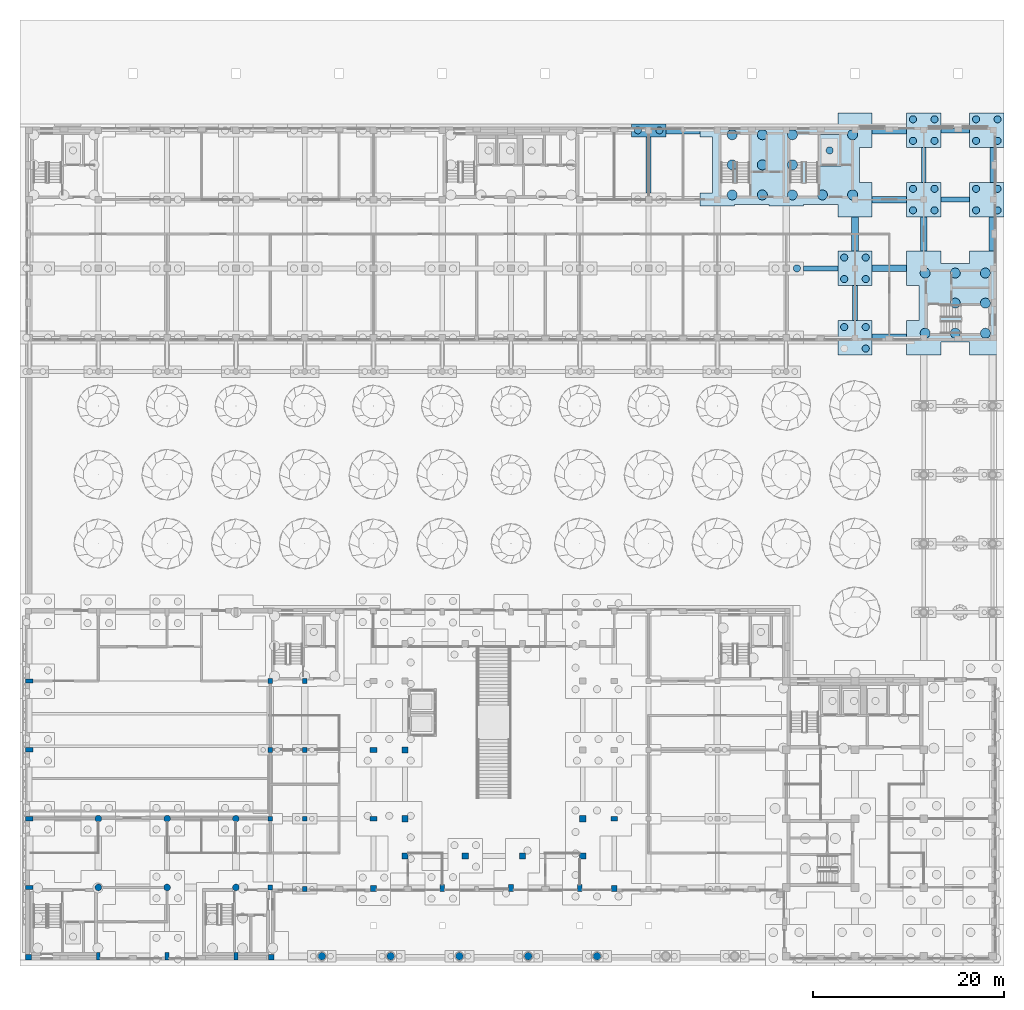
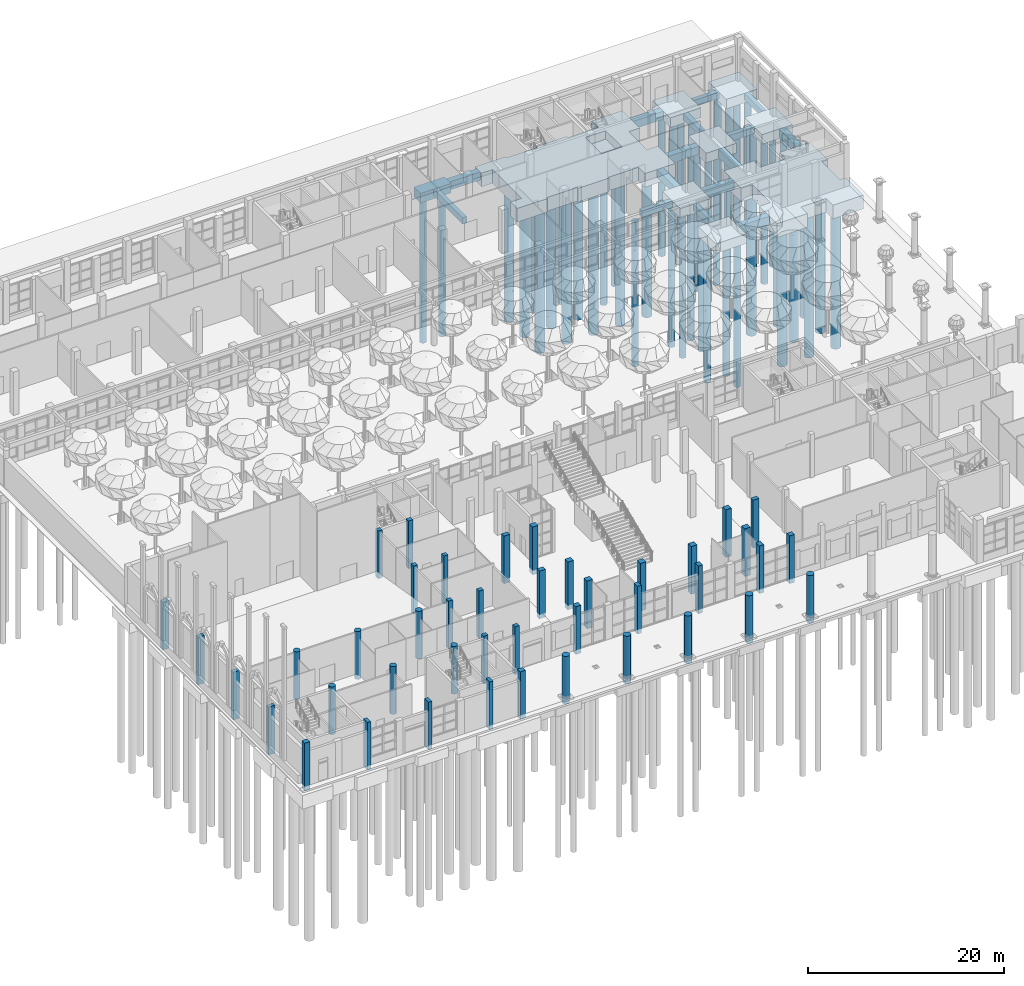
# One storey, part 7 of 80: 47 piles, 43 columns, 25 footings.
"""IFC4 building model written with IfcOpenShell, lengths in metres."""

from ifc_helpers import new_model, si_unit, direction, frame, origin, origin_2d, place, context, subcontext, project, spatial, polyline, rectangle, circle, outline, extrude, material, material_profile, profile_set, type_object, element, save


model = new_model("IFC4")

# Units and contexts
model_context = context("Model", 3, precision=1e-05, world=origin(), true_north=direction((0.0, 1.0)))
body_context = subcontext(model_context, "Body", "Model", "MODEL_VIEW")
ifc_project = project(units=[si_unit("LENGTHUNIT", "METRE"), si_unit("AREAUNIT", "SQUARE_METRE"), si_unit("VOLUMEUNIT", "CUBIC_METRE"), si_unit("PLANEANGLEUNIT", "RADIAN"), si_unit("MASSUNIT", "GRAM", prefix="KILO")], contexts=[model_context])

# Site, building, storey
site_placement = place(None, origin())
site = spatial("IfcSite", under=ifc_project, at=site_placement, CompositionType="ELEMENT")
building_placement = place(site_placement, origin())
building = spatial("IfcBuilding", under=site, at=building_placement, Name="Ussher Court Research Institute", CompositionType="ELEMENT")
storey_placement = place(building_placement, origin())
storey = spatial("IfcBuildingStorey", under=building, at=storey_placement, Name="L00", CompositionType="ELEMENT", Elevation=0.0)

# Piles
ifc_material_1 = material(Name="Concrete C35/45", Category="concrete")
ifc_material_profile_1 = material_profile(ifc_material_1, circle(Radius=0.52490234375, at=origin_2d()), Name="RC D1050")
ifc_profile_set_1 = profile_set([ifc_material_profile_1], Name="Concrete C35/45")
pile_type_1 = type_object("IfcPileType", Name="Bored pile D1050", PredefinedType="BORED", material=ifc_profile_set_1)
for number, where, z_axis, x_axis, name in (
    (1, (76.550048828125, 83.68798828125, -2.10009765625), (0.0, 0.0, -1.0), (1.0, 0.0, 0.0), "P5 084-01"),
    (2, (76.550048828125, 86.837890625, -2.10009765625), (0.0, 0.0, -1.0), (1.0, 0.0, 0.0), "P5 084-02"),
    (3, (76.550048828125, 89.987060546875, -2.10009765625), (0.0, 0.0, -1.0), (1.0, 0.0, 0.0), "P5 084-03"),
    (4, (79.699951171875, 83.68798828125, -2.10009765625), (0.0, 0.0, -1.0), (1.0, 0.0, 0.0), "P5 084-04"),
    (5, (79.699951171875, 86.837890625, -2.10009765625), (0.0, 0.0, -1.0), (1.0, 0.0, 0.0), "P5 084-05"),
    (6, (79.699951171875, 89.987060546875, -2.10009765625), (0.0, 0.0, -1.0), (1.0, 0.0, 0.0), "P5 084-06"),
    (7, (82.85009765625, 83.68798828125, -2.10009765625), (0.0, 0.0, -1.0), (1.0, 0.0, 0.0), "P5 084-07"),
    (8, (82.85009765625, 86.837890625, -2.10009765625), (0.0, 0.0, -1.0), (1.0, 0.0, 0.0), "P5 084-08"),
    (9, (82.85009765625, 89.987060546875, -2.10009765625), (0.0, 0.0, -1.0), (1.0, 0.0, 0.0), "P5 084-09"),
    (10, (86.0, 83.68798828125, -2.10009765625), (0.0, 0.0, -1.0), (1.0, 0.0, 0.0), "P5 084-10"),
    (11, (89.14990234375, 83.68798828125, -2.10009765625), (0.0, 0.0, -1.0), (1.0, 0.0, 0.0), "P5 084-11"),
    (12, (89.14990234375, 89.987060546875, -2.10009765625), (0.0, 0.0, -1.0), (1.0, 0.0, 0.0), "P5 084-12"),
    (13, (96.75, 69.2119140625, -2.10009765625), (0.0, 0.0, -1.0), (1.0, 0.0, 0.0), "P5 102-01"),
    (14, (96.75, 75.511962890625, -2.10009765625), (0.0, 0.0, -1.0), (1.0, 0.0, 0.0), "P5 102-02"),
    (15, (99.89990234375, 69.2119140625, -2.10009765625), (0.0, 0.0, -1.0), (1.0, 0.0, 0.0), "P5 102-03"),
    (16, (99.89990234375, 72.362060546875, -2.10009765625), (0.0, 0.0, -1.0), (1.0, 0.0, 0.0), "P5 102-04"),
    (17, (99.89990234375, 75.511962890625, -2.10009765625), (0.0, 0.0, -1.0), (1.0, 0.0, 0.0), "P5 102-05"),
    (18, (103.050048828125, 69.2119140625, -2.10009765625), (0.0, 0.0, -1.0), (1.0, 0.0, 0.0), "P5 102-06"),
    (19, (103.050048828125, 72.362060546875, -2.10009765625), (0.0, 0.0, -1.0), (1.0, 0.0, 0.0), "P5 102-07"),
    (20, (103.050048828125, 75.511962890625, -2.10009765625), (0.0, 0.0, -1.0), (1.0, 0.0, 0.0), "P5 102-08"),
):
    element("IfcPile", number, at=place(storey_placement, frame(where, z_axis=z_axis, x_axis=x_axis)), inside=storey, type_object=pile_type_1, Name=name, PredefinedType="BORED", context=body_context, shape_type="SweptSolid", body=[
        extrude(circle(Radius=0.52490234375, at=origin_2d()), origin(), (0.0, 0.0, 1.0), 18.0),
    ])
ifc_material_2 = material(Name="Concrete C35/45", Category="concrete")
ifc_material_profile_2 = material_profile(ifc_material_2, circle(Radius=0.375, at=origin_2d()), Name="RC D750")
ifc_profile_set_2 = profile_set([ifc_material_profile_2], Name="Concrete C35/45")
pile_type_2 = type_object("IfcPileType", Name="Bored pile D750", PredefinedType="BORED", material=ifc_profile_set_2)
for number, where, z_axis, x_axis, name in (
    (21, (86.75, 88.35009765625, -2.64990234375), (0.0, 0.0, -1.0), (1.0, 0.0, 0.0), "P1 006-01"),
    (22, (66.675048828125, 90.449951171875, -1.60009765625), (0.0, 0.0, -1.0), (1.0, 0.0, 0.0), "P1 079-01"),
    (23, (68.925048828125, 90.449951171875, -1.60009765625), (0.0, 0.0, -1.0), (1.0, 0.0, 0.0), "P1 079-02"),
    (24, (83.324951171875, 76.0, -1.60009765625), (0.0, 0.0, -1.0), (1.0, 0.0, 0.0), "P1 094-02"),
    (25, (88.27490234375, 69.85009765625, -1.60009765625), (0.0, 0.0, -1.0), (1.0, 0.0, 0.0), "P1 097-02"),
    (26, (90.52490234375, 67.60009765625, -1.60009765625), (0.0, 0.0, -1.0), (1.0, 0.0, 0.0), "P1 097-03"),
    (27, (90.52490234375, 69.85009765625, -1.60009765625), (0.0, 0.0, -1.0), (1.0, 0.0, 0.0), "P1 097-04"),
    (28, (88.27490234375, 74.875, -1.60009765625), (0.0, 0.0, -1.0), (1.0, 0.0, 0.0), "P1 098-01"),
    (29, (88.27490234375, 77.125, -1.60009765625), (0.0, 0.0, -1.0), (1.0, 0.0, 0.0), "P1 098-02"),
    (30, (90.52490234375, 74.875, -1.60009765625), (0.0, 0.0, -1.0), (1.0, 0.0, 0.0), "P1 098-03"),
    (31, (90.52490234375, 77.125, -1.60009765625), (0.0, 0.0, -1.0), (1.0, 0.0, 0.0), "P1 098-04"),
    (32, (95.47509765625, 82.074951171875, -1.60009765625), (0.0, 0.0, -1.0), (1.0, 0.0, 0.0), "P1 103-01"),
    (33, (95.47509765625, 84.324951171875, -1.60009765625), (0.0, 0.0, -1.0), (1.0, 0.0, 0.0), "P1 103-02"),
    (34, (97.72509765625, 82.074951171875, -1.60009765625), (0.0, 0.0, -1.0), (1.0, 0.0, 0.0), "P1 103-03"),
    (35, (97.72509765625, 84.324951171875, -1.60009765625), (0.0, 0.0, -1.0), (1.0, 0.0, 0.0), "P1 103-04"),
    (36, (95.47509765625, 89.35009765625, -1.60009765625), (0.0, 0.0, -1.0), (1.0, 0.0, 0.0), "P1 104-01"),
    (37, (95.47509765625, 91.60009765625, -1.60009765625), (0.0, 0.0, -1.0), (1.0, 0.0, 0.0), "P1 104-02"),
    (38, (97.72509765625, 89.35009765625, -1.60009765625), (0.0, 0.0, -1.0), (1.0, 0.0, 0.0), "P1 104-03"),
    (39, (97.72509765625, 91.60009765625, -1.60009765625), (0.0, 0.0, -1.0), (1.0, 0.0, 0.0), "P1 104-04"),
    (40, (102.074951171875, 82.074951171875, -1.60009765625), (0.0, 0.0, -1.0), (1.0, 0.0, 0.0), "P1 114-01"),
    (41, (102.074951171875, 84.324951171875, -1.60009765625), (0.0, 0.0, -1.0), (1.0, 0.0, 0.0), "P1 114-02"),
    (42, (104.324951171875, 82.074951171875, -1.60009765625), (0.0, 0.0, -1.0), (1.0, 0.0, 0.0), "P1 114-03"),
    (43, (104.324951171875, 84.324951171875, -1.60009765625), (0.0, 0.0, -1.0), (1.0, 0.0, 0.0), "P1 114-04"),
    (44, (102.074951171875, 89.35009765625, -1.60009765625), (0.0, 0.0, -1.0), (1.0, 0.0, 0.0), "P1 115-01"),
    (45, (102.074951171875, 91.60009765625, -1.60009765625), (0.0, 0.0, -1.0), (1.0, 0.0, 0.0), "P1 115-02"),
    (46, (104.324951171875, 89.35009765625, -1.60009765625), (0.0, 0.0, -1.0), (1.0, 0.0, 0.0), "P1 115-03"),
    (47, (104.324951171875, 91.60009765625, -1.60009765625), (0.0, 0.0, -1.0), (1.0, 0.0, 0.0), "P1 115-04"),
):
    element("IfcPile", number, at=place(storey_placement, frame(where, z_axis=z_axis, x_axis=x_axis)), inside=storey, type_object=pile_type_2, Name=name, PredefinedType="BORED", context=body_context, shape_type="SweptSolid", body=[
        extrude(circle(Radius=0.375, at=origin_2d()), origin(), (0.0, 0.0, 1.0), 18.0),
    ])

# Footings
ifc_material_3 = material(Name="Concrete C35/45", Category="concrete")
footing_type_1 = type_object("IfcFootingType", Name="Core raft 10880x10200x1700", PredefinedType="PILE_CAP", material=ifc_material_3)
footing_1_placement = place(storey_placement, frame((0.0, 0.0, -2.25)))
element("IfcFooting", 48, at=footing_1_placement, inside=storey, type_object=footing_type_1, Name="CR15 102", PredefinedType="PILE_CAP", context=body_context, shape_type="SweptSolid", body=[
    extrude(outline(polyline([(96.10009765625, 70.52490234375), (94.800048828125, 70.52490234375), (94.800048828125, 66.925048828125), (98.39990234375, 66.925048828125), (98.39990234375, 68.300048828125), (101.39990234375, 68.300048828125), (101.39990234375, 66.925048828125), (105.0, 66.925048828125), (105.0, 70.52490234375), (104.300048828125, 70.52490234375), (104.300048828125, 74.199951171875), (105.0, 74.199951171875), (105.0, 77.800048828125), (101.39990234375, 77.800048828125), (101.39990234375, 76.5), (98.39990234375, 76.5), (98.39990234375, 77.800048828125), (94.800048828125, 77.800048828125), (94.800048828125, 74.199951171875), (96.10009765625, 74.199951171875), (96.10009765625, 70.52490234375)])), origin(), (0.0, 0.0, 1.0), 1.699951171875),
])
ifc_material_4 = material(Name="Concrete C35/45", Category="concrete")
footing_type_2 = type_object("IfcFootingType", Name="Core raft 18000x10880x1700", PredefinedType="PILE_CAP", material=ifc_material_4)
footing_2_placement = place(storey_placement, frame((0.0, 0.0, -2.25)))
element("IfcFooting", 49, at=footing_2_placement, inside=storey, type_object=footing_type_2, Name="CR21 084", PredefinedType="PILE_CAP", context=body_context, shape_type="SweptSolid", body=[
    extrude(outline(polyline([(73.199951171875, 89.77490234375), (74.5, 89.77490234375), (74.5, 83.875), (73.199951171875, 83.875), (73.199951171875, 82.52490234375), (76.800048828125, 82.52490234375), (76.800048828125, 82.699951171875), (80.39990234375, 82.699951171875), (80.39990234375, 82.52490234375), (84.0, 82.52490234375), (84.0, 82.699951171875), (87.60009765625, 82.699951171875), (87.60009765625, 81.39990234375), (91.199951171875, 81.39990234375), (91.199951171875, 85.0), (89.89990234375, 85.0), (89.89990234375, 88.675048828125), (91.199951171875, 88.675048828125), (91.199951171875, 92.27490234375), (87.60009765625, 92.27490234375), (87.60009765625, 90.89990234375), (84.0, 90.89990234375), (84.0, 91.125), (80.39990234375, 91.125), (80.39990234375, 90.89990234375), (76.800048828125, 90.89990234375), (76.800048828125, 91.125), (73.199951171875, 91.125), (73.199951171875, 89.77490234375)]), holes=[polyline([(87.949951171875, 90.0), (87.949951171875, 86.699951171875), (85.550048828125, 86.699951171875), (85.550048828125, 90.0), (87.949951171875, 90.0)])]), origin(), (0.0, 0.0, 1.0), 1.699951171875),
])
ifc_material_5 = material(Name="Concrete C35/45", Category="concrete")
footing_type_3 = type_object("IfcFootingType", Name="Core raft 3300x2400x1200", PredefinedType="PILE_CAP", material=ifc_material_5)
footing_3_placement = place(storey_placement, frame((0.0, 0.0, -2.800048828125)))
element("IfcFooting", 50, at=footing_3_placement, inside=storey, type_object=footing_type_3, Name="CR3 006", PredefinedType="PILE_CAP", context=body_context, shape_type="SweptSolid", body=[
    extrude(outline(polyline([(87.949951171875, 86.699951171875), (87.949951171875, 90.0), (85.550048828125, 90.0), (85.550048828125, 86.699951171875), (87.949951171875, 86.699951171875)])), origin(), (0.0, 0.0, 1.0), 1.199951171875),
])
ifc_material_6 = material(Name="Concrete C35/45", Category="concrete")
footing_type_4 = type_object("IfcFootingType", Name="Pile cap 3600x1350x1200", PredefinedType="PILE_CAP", material=ifc_material_6)
footing_4_placement = place(storey_placement, frame((0.0, 0.0, -1.75)))
element("IfcFooting", 51, at=footing_4_placement, inside=storey, type_object=footing_type_4, Name="PC4 079", PredefinedType="PILE_CAP", context=body_context, shape_type="SweptSolid", body=[
    extrude(outline(polyline([(66.0, 89.77490234375), (69.60009765625, 89.77490234375), (69.60009765625, 91.125), (66.0, 91.125), (66.0, 89.77490234375)])), origin(), (0.0, 0.0, 1.0), 1.199951171875),
])
ifc_material_7 = material(Name="Concrete C35/45", Category="concrete")
footing_type_5 = type_object("IfcFootingType", Name="Pile cap 3600x3600x1200", PredefinedType="PILE_CAP", material=ifc_material_7)
footing_5_placement = place(storey_placement, frame((0.0, 0.0, -1.75)))
element("IfcFooting", 52, at=footing_5_placement, inside=storey, type_object=footing_type_5, Name="PC5 097", PredefinedType="PILE_CAP", context=body_context, shape_type="SweptSolid", body=[
    extrude(outline(polyline([(87.60009765625, 66.925048828125), (91.199951171875, 66.925048828125), (91.199951171875, 70.52490234375), (87.60009765625, 70.52490234375), (87.60009765625, 66.925048828125)])), origin(), (0.0, 0.0, 1.0), 1.199951171875),
])
footing_6_placement = place(storey_placement, frame((0.0, 0.0, -1.75)))
element("IfcFooting", 53, at=footing_6_placement, inside=storey, type_object=footing_type_5, Name="PC5 098", PredefinedType="PILE_CAP", context=body_context, shape_type="SweptSolid", body=[
    extrude(outline(polyline([(87.60009765625, 74.199951171875), (91.199951171875, 74.199951171875), (91.199951171875, 77.800048828125), (87.60009765625, 77.800048828125), (87.60009765625, 74.199951171875)])), origin(), (0.0, 0.0, 1.0), 1.199951171875),
])
footing_7_placement = place(storey_placement, frame((0.0, 0.0, -1.75)))
element("IfcFooting", 54, at=footing_7_placement, inside=storey, type_object=footing_type_5, Name="PC5 103", PredefinedType="PILE_CAP", context=body_context, shape_type="SweptSolid", body=[
    extrude(outline(polyline([(94.800048828125, 81.39990234375), (98.39990234375, 81.39990234375), (98.39990234375, 85.0), (94.800048828125, 85.0), (94.800048828125, 81.39990234375)])), origin(), (0.0, 0.0, 1.0), 1.199951171875),
])
footing_8_placement = place(storey_placement, frame((0.0, 0.0, -1.75)))
element("IfcFooting", 55, at=footing_8_placement, inside=storey, type_object=footing_type_5, Name="PC5 104", PredefinedType="PILE_CAP", context=body_context, shape_type="SweptSolid", body=[
    extrude(outline(polyline([(94.800048828125, 88.675048828125), (98.39990234375, 88.675048828125), (98.39990234375, 92.27490234375), (94.800048828125, 92.27490234375), (94.800048828125, 88.675048828125)])), origin(), (0.0, 0.0, 1.0), 1.199951171875),
])
footing_9_placement = place(storey_placement, frame((0.0, 0.0, -1.75)))
element("IfcFooting", 56, at=footing_9_placement, inside=storey, type_object=footing_type_5, Name="PC5 114", PredefinedType="PILE_CAP", context=body_context, shape_type="SweptSolid", body=[
    extrude(outline(polyline([(101.39990234375, 81.39990234375), (105.0, 81.39990234375), (105.0, 85.0), (101.39990234375, 85.0), (101.39990234375, 81.39990234375)])), origin(), (0.0, 0.0, 1.0), 1.199951171875),
])
footing_10_placement = place(storey_placement, frame((0.0, 0.0, -1.75)))
element("IfcFooting", 57, at=footing_10_placement, inside=storey, type_object=footing_type_5, Name="PC5 115", PredefinedType="PILE_CAP", context=body_context, shape_type="SweptSolid", body=[
    extrude(outline(polyline([(101.39990234375, 88.675048828125), (105.0, 88.675048828125), (105.0, 92.27490234375), (101.39990234375, 92.27490234375), (101.39990234375, 88.675048828125)])), origin(), (0.0, 0.0, 1.0), 1.199951171875),
])
ifc_material_8 = material(Name="Concrete C35/45", Category="concrete")
ifc_material_profile_3 = material_profile(ifc_material_8, rectangle(XDim=0.5, YDim=0.800048828125, at=origin_2d()), Name="RC 500x800")
ifc_profile_set_3 = profile_set([ifc_material_profile_3], Name="Concrete C35/45")
footing_type_6 = type_object("IfcFootingType", Name="RC 500x800 ground beam", PredefinedType="FOOTING_BEAM", material=ifc_profile_set_3)
footing_11_placement = place(storey_placement, frame((84.0009765625, 76.0, -0.949951171875), z_axis=(1.0, 0.0, 0.0), x_axis=(0.0, 1.0, 0.0)))
element("IfcFooting", 58, at=footing_11_placement, inside=storey, type_object=footing_type_6, Name="GB1 095", PredefinedType="FOOTING_BEAM", context=body_context, shape_type="SweptSolid", body=[
    extrude(rectangle(XDim=0.5, YDim=0.800048828125, at=origin_2d()), origin(), (0.0, 0.0, 1.0), 3.59814453125),
])
for number, where, z_axis, x_axis, name in (
    (59, (98.40087890625, 83.199951171875, -0.949951171875), (1.0, 0.0, 0.0), (0.0, 1.0, 0.0), "GB1 105"),
    (60, (98.40087890625, 90.39990234375, -0.949951171875), (1.0, 0.0, 0.0), (0.0, 1.0, 0.0), "GB1 114"),
):
    element("IfcFooting", number, at=place(storey_placement, frame(where, z_axis=z_axis, x_axis=x_axis)), inside=storey, type_object=footing_type_6, Name=name, PredefinedType="FOOTING_BEAM", context=body_context, shape_type="SweptSolid", body=[
        extrude(rectangle(XDim=0.5, YDim=0.800048828125, at=origin_2d()), origin(), (0.0, 0.0, 1.0), 2.998046875),
    ])
footing_12_placement = place(storey_placement, frame((67.800048828125, 83.8759765625, -0.949951171875), z_axis=(0.0, 1.0, 0.0), x_axis=(-1.0, 0.0, 0.0)))
element("IfcFooting", 61, at=footing_12_placement, inside=storey, type_object=footing_type_6, Name="GB1 179", PredefinedType="FOOTING_BEAM", context=body_context, shape_type="SweptSolid", body=[
    extrude(rectangle(XDim=0.5, YDim=0.800048828125, at=origin_2d()), origin(), (0.0, 0.0, 1.0), 5.89794921875),
])
for number, where, z_axis, x_axis, name in (
    (62, (89.39990234375, 70.52587890625, -0.949951171875), (0.0, 1.0, 0.0), (-1.0, 0.0, 0.0), "GB1 193"),
    (63, (96.60009765625, 85.0009765625, -0.949951171875), (0.0, 1.0, 0.0), (-1.0, 0.0, 0.0), "GB1 204"),
    (64, (103.800048828125, 85.0009765625, -0.949951171875), (0.0, 1.0, 0.0), (-1.0, 0.0, 0.0), "GB1 215"),
):
    element("IfcFooting", number, at=place(storey_placement, frame(where, z_axis=z_axis, x_axis=x_axis)), inside=storey, type_object=footing_type_6, Name=name, PredefinedType="FOOTING_BEAM", context=body_context, shape_type="SweptSolid", body=[
        extrude(rectangle(XDim=0.5, YDim=0.800048828125, at=origin_2d()), origin(), (0.0, 0.0, 1.0), 3.673095703125),
    ])
ifc_material_9 = material(Name="Concrete C35/45", Category="concrete")
ifc_material_profile_4 = material_profile(ifc_material_9, rectangle(XDim=0.699951171875, YDim=1.0, at=origin_2d()), Name="RC 700x1000")
ifc_profile_set_4 = profile_set([ifc_material_profile_4], Name="Concrete C35/45")
footing_type_7 = type_object("IfcFootingType", Name="RC 700x1000 ground beam", PredefinedType="FOOTING_BEAM", material=ifc_profile_set_4)
for number, where, z_axis, x_axis, name in (
    (65, (91.200927734375, 68.800048828125, -1.050048828125), (1.0, 0.0, 0.0), (0.0, 1.0, 0.0), "GB5 083"),
    (66, (91.200927734375, 76.0, -1.050048828125), (1.0, 0.0, 0.0), (0.0, 1.0, 0.0), "GB5 096"),
    (67, (91.200927734375, 83.199951171875, -1.050048828125), (1.0, 0.0, 0.0), (0.0, 1.0, 0.0), "GB5 104"),
):
    element("IfcFooting", number, at=place(storey_placement, frame(where, z_axis=z_axis, x_axis=x_axis)), inside=storey, type_object=footing_type_7, Name=name, PredefinedType="FOOTING_BEAM", context=body_context, shape_type="SweptSolid", body=[
        extrude(rectangle(XDim=0.699951171875, YDim=1.0, at=origin_2d()), origin(), (0.0, 0.0, 1.0), 3.59814453125),
    ])
footing_13_placement = place(storey_placement, frame((69.60107421875, 90.39990234375, -1.050048828125), z_axis=(1.0, 0.0, 0.0), x_axis=(0.0, 1.0, 0.0)))
element("IfcFooting", 68, at=footing_13_placement, inside=storey, type_object=footing_type_7, Name="GB5 112", PredefinedType="FOOTING_BEAM", context=body_context, shape_type="SweptSolid", body=[
    extrude(rectangle(XDim=0.699951171875, YDim=1.0, at=origin_2d()), origin(), (0.0, 0.0, 1.0), 3.597900390625),
])
footing_14_placement = place(storey_placement, frame((91.200927734375, 90.39990234375, -1.050048828125), z_axis=(1.0, 0.0, 0.0), x_axis=(0.0, 1.0, 0.0)))
element("IfcFooting", 69, at=footing_14_placement, inside=storey, type_object=footing_type_7, Name="GB5 113", PredefinedType="FOOTING_BEAM", context=body_context, shape_type="SweptSolid", body=[
    extrude(rectangle(XDim=0.699951171875, YDim=1.0, at=origin_2d()), origin(), (0.0, 0.0, 1.0), 3.59814453125),
])
for number, where, z_axis, x_axis, name in (
    (70, (89.39990234375, 77.801025390625, -1.050048828125), (0.0, 1.0, 0.0), (-1.0, 0.0, 0.0), "GB5 194"),
    (71, (96.60009765625, 77.801025390625, -1.050048828125), (0.0, 1.0, 0.0), (-1.0, 0.0, 0.0), "GB5 203"),
    (72, (103.800048828125, 77.801025390625, -1.050048828125), (0.0, 1.0, 0.0), (-1.0, 0.0, 0.0), "GB5 214"),
):
    element("IfcFooting", number, at=place(storey_placement, frame(where, z_axis=z_axis, x_axis=x_axis)), inside=storey, type_object=footing_type_7, Name=name, PredefinedType="FOOTING_BEAM", context=body_context, shape_type="SweptSolid", body=[
        extrude(rectangle(XDim=0.699951171875, YDim=1.0, at=origin_2d()), origin(), (0.0, 0.0, 1.0), 3.597900390625),
    ])

# Columns
ifc_material_10 = material(Name="Concrete C35/45", Category="concrete")
ifc_material_profile_5 = material_profile(ifc_material_10, rectangle(XDim=0.39990234375, YDim=0.800048828125, at=origin_2d()), Name="RC 400x800")
ifc_profile_set_5 = profile_set([ifc_material_profile_5], Name="Concrete C35/45")
column_type_1 = type_object("IfcColumnType", Name="RC 400x800 column", PredefinedType="COLUMN", material=ifc_profile_set_5)
for number, where, z_axis, x_axis, name in (
    (73, (10.199951171875, 4.0, -0.550048828125), (0.0, 0.0, 1.0), (1.0, 0.0, 0.0), "CF1 V1 L00-01"),
    (74, (17.39990234375, 4.0, -0.550048828125), (0.0, 0.0, 1.0), (1.0, 0.0, 0.0), "CF1 V1 L00-03"),
    (75, (24.60009765625, 4.0, -0.550048828125), (0.0, 0.0, 1.0), (1.0, 0.0, 0.0), "CF1 V1 L00-05"),
):
    element("IfcColumn", number, at=place(storey_placement, frame(where, z_axis=z_axis, x_axis=x_axis)), inside=storey, type_object=column_type_1, Name=name, PredefinedType="COLUMN", context=body_context, shape_type="SweptSolid", body=[
        extrude(rectangle(XDim=0.39990234375, YDim=0.800048828125, at=origin_2d()), origin(), (0.0, 0.0, 1.0), 5.949951171875),
    ])
ifc_material_11 = material(Name="Concrete C35/45", Category="concrete")
ifc_material_profile_6 = material_profile(ifc_material_11, rectangle(XDim=0.5, YDim=0.5, at=origin_2d()), Name="RC 500x500")
ifc_profile_set_6 = profile_set([ifc_material_profile_6], Name="Concrete C35/45")
column_type_2 = type_object("IfcColumnType", Name="RC 500x500 column", PredefinedType="COLUMN", material=ifc_profile_set_6)
for number, where, z_axis, x_axis, name in (
    (76, (28.199951171875, 11.199951171875, -0.550048828125), (0.0, 0.0, 1.0), (1.0, 0.0, 0.0), "C5 V7 L00-01"),
    (77, (28.199951171875, 18.39990234375, -0.550048828125), (0.0, 0.0, 1.0), (1.0, 0.0, 0.0), "C5 V7 L00-02"),
    (78, (28.199951171875, 25.60009765625, -0.550048828125), (0.0, 0.0, 1.0), (1.0, 0.0, 0.0), "C5 V7 L00-03"),
    (79, (28.199951171875, 32.800048828125, -0.550048828125), (0.0, 0.0, 1.0), (1.0, 0.0, 0.0), "C5 V7 L00-04"),
    (80, (31.800048828125, 11.050048828125, -0.550048828125), (0.0, 0.0, 1.0), (1.0, 0.0, 0.0), "C5 V7 L00-06"),
    (81, (31.800048828125, 18.39990234375, -0.550048828125), (0.0, 0.0, 1.0), (1.0, 0.0, 0.0), "C5 V7 L00-07"),
    (82, (31.800048828125, 25.60009765625, -0.550048828125), (0.0, 0.0, 1.0), (1.0, 0.0, 0.0), "C5 V7 L00-08"),
    (83, (31.800048828125, 32.800048828125, -0.550048828125), (0.0, 0.0, 1.0), (1.0, 0.0, 0.0), "C5 V7 L00-09"),
):
    element("IfcColumn", number, at=place(storey_placement, frame(where, z_axis=z_axis, x_axis=x_axis)), inside=storey, type_object=column_type_2, Name=name, PredefinedType="COLUMN", context=body_context, shape_type="SweptSolid", body=[
        extrude(rectangle(XDim=0.5, YDim=0.5, at=origin_2d()), origin(), (0.0, 0.0, 1.0), 5.949951171875),
    ])
ifc_material_12 = material(Name="Concrete C35/45", Category="concrete")
ifc_material_profile_7 = material_profile(ifc_material_12, rectangle(XDim=0.5, YDim=0.699951171875, at=origin_2d()), Name="RC 500x700")
ifc_profile_set_7 = profile_set([ifc_material_profile_7], Name="Concrete C35/45")
column_type_3 = type_object("IfcColumnType", Name="RC 500x700 column", PredefinedType="COLUMN", material=ifc_profile_set_7)
for number, where, z_axis, x_axis, name in (
    (84, (46.199951171875, 11.14990234375, -0.550048828125), (0.0, 0.0, 1.0), (1.0, 0.0, 0.0), "CF2 V2 L00-01"),
    (85, (53.39990234375, 11.14990234375, -0.550048828125), (0.0, 0.0, 1.0), (1.0, 0.0, 0.0), "CF2 V2 L00-03"),
    (86, (60.60009765625, 11.14990234375, -0.550048828125), (0.0, 0.0, 1.0), (1.0, 0.0, 0.0), "CF2 V2 L00-05"),
):
    element("IfcColumn", number, at=place(storey_placement, frame(where, z_axis=z_axis, x_axis=x_axis)), inside=storey, type_object=column_type_3, Name=name, PredefinedType="COLUMN", context=body_context, shape_type="SweptSolid", body=[
        extrude(rectangle(XDim=0.5, YDim=0.699951171875, at=origin_2d()), origin(), (0.0, 0.0, 1.0), 5.949951171875),
    ])
ifc_material_13 = material(Name="Concrete C35/45", Category="concrete")
ifc_material_profile_8 = material_profile(ifc_material_13, rectangle(XDim=0.60009765625, YDim=0.60009765625, at=origin_2d()), Name="RC 600x600")
ifc_profile_set_8 = profile_set([ifc_material_profile_8], Name="Concrete C35/45")
column_type_4 = type_object("IfcColumnType", Name="RC 600x600 column", PredefinedType="COLUMN", material=ifc_profile_set_8)
for number, where, z_axis, x_axis, name in (
    (87, (39.0, 11.10009765625, -0.550048828125), (0.0, 0.0, 1.0), (1.0, 0.0, 0.0), "C6 V2 L00-01"),
    (88, (64.199951171875, 11.10009765625, -0.550048828125), (0.0, 0.0, 1.0), (1.0, 0.0, 0.0), "C6 V2 L00-03"),
    (89, (2.89990234375, 3.89990234375, -0.550048828125), (0.0, 0.0, 1.0), (1.0, 0.0, 0.0), "C6 V1 L00-01"),
    (90, (28.300048828125, 3.89990234375, -0.550048828125), (0.0, 0.0, 1.0), (1.0, 0.0, 0.0), "C6 V1 L00-03"),
):
    element("IfcColumn", number, at=place(storey_placement, frame(where, z_axis=z_axis, x_axis=x_axis)), inside=storey, type_object=column_type_4, Name=name, PredefinedType="COLUMN", context=body_context, shape_type="SweptSolid", body=[
        extrude(rectangle(XDim=0.60009765625, YDim=0.60009765625, at=origin_2d()), origin(), (0.0, 0.0, 1.0), 5.949951171875),
    ])
ifc_material_14 = material(Name="Concrete C35/45", Category="concrete")
ifc_material_profile_9 = material_profile(ifc_material_14, rectangle(XDim=0.64990234375, YDim=0.64990234375, at=origin_2d()), Name="RC 650x650")
ifc_profile_set_9 = profile_set([ifc_material_profile_9], Name="Concrete C35/45")
column_type_5 = type_object("IfcColumnType", Name="RC 650x650 column", PredefinedType="COLUMN", material=ifc_profile_set_9)
for number, where, z_axis, x_axis, name in (
    (91, (42.300048828125, 14.5, -0.550048828125), (0.0, 0.0, 1.0), (1.0, 0.0, 0.0), "C65 V2 L00-01"),
    (92, (42.300048828125, 18.39990234375, -0.550048828125), (0.0, 0.0, 1.0), (1.0, 0.0, 0.0), "C65 V2 L00-02"),
    (93, (42.300048828125, 25.60009765625, -0.550048828125), (0.0, 0.0, 1.0), (1.0, 0.0, 0.0), "C65 V2 L00-03"),
    (94, (60.89990234375, 14.5, -0.550048828125), (0.0, 0.0, 1.0), (1.0, 0.0, 0.0), "C65 V2 L00-06"),
    (95, (60.89990234375, 18.39990234375, -0.550048828125), (0.0, 0.0, 1.0), (1.0, 0.0, 0.0), "C65 V2 L00-07"),
    (96, (48.60009765625, 14.5, -0.550048828125), (0.0, 0.0, 1.0), (1.0, 0.0, 0.0), "C65 V2 L00-11"),
    (97, (54.60009765625, 14.5, -0.550048828125), (0.0, 0.0, 1.0), (1.0, 0.0, 0.0), "C65 V2 L00-12"),
):
    element("IfcColumn", number, at=place(storey_placement, frame(where, z_axis=z_axis, x_axis=x_axis)), inside=storey, type_object=column_type_5, Name=name, PredefinedType="COLUMN", context=body_context, shape_type="SweptSolid", body=[
        extrude(rectangle(XDim=0.64990234375, YDim=0.64990234375, at=origin_2d()), origin(), (0.0, 0.0, 1.0), 5.949951171875),
    ])
ifc_material_15 = material(Name="Concrete C35/45", Category="concrete")
ifc_material_profile_10 = material_profile(ifc_material_15, rectangle(XDim=0.699951171875, YDim=0.5, at=origin_2d()), Name="RC 700x500")
ifc_profile_set_10 = profile_set([ifc_material_profile_10], Name="Concrete C35/45")
column_type_6 = type_object("IfcColumnType", Name="RC 700x500 column", PredefinedType="COLUMN", material=ifc_profile_set_10)
for number, where, z_axis, x_axis, name in (
    (98, (39.0, 18.39990234375, -0.550048828125), (0.0, 0.0, 1.0), (1.0, 0.0, 0.0), "CF3 V2 L00-01"),
    (99, (39.0, 25.60009765625, -0.550048828125), (0.0, 0.0, 1.0), (1.0, 0.0, 0.0), "CF3 V2 L00-02"),
    (100, (64.199951171875, 18.39990234375, -0.550048828125), (0.0, 0.0, 1.0), (1.0, 0.0, 0.0), "CF3 V2 L00-04"),
):
    element("IfcColumn", number, at=place(storey_placement, frame(where, z_axis=z_axis, x_axis=x_axis)), inside=storey, type_object=column_type_6, Name=name, PredefinedType="COLUMN", context=body_context, shape_type="SweptSolid", body=[
        extrude(rectangle(XDim=0.699951171875, YDim=0.5, at=origin_2d()), origin(), (0.0, 0.0, 1.0), 5.949951171875),
    ])
ifc_material_16 = material(Name="Concrete C35/45", Category="concrete")
ifc_material_profile_11 = material_profile(ifc_material_16, rectangle(XDim=0.75, YDim=0.449951171875, at=origin_2d()), Name="RC 750x450")
ifc_profile_set_11 = profile_set([ifc_material_profile_11], Name="Concrete C35/45")
column_type_7 = type_object("IfcColumnType", Name="RC 750x450 column", PredefinedType="COLUMN", material=ifc_profile_set_11)
for number, where, z_axis, x_axis, name in (
    (101, (2.97509765625, 11.199951171875, -0.550048828125), (0.0, 0.0, 1.0), (1.0, 0.0, 0.0), "CF4 V1 L00-01"),
    (102, (2.97509765625, 18.39990234375, -0.550048828125), (0.0, 0.0, 1.0), (1.0, 0.0, 0.0), "CF4 V1 L00-02"),
    (103, (2.97509765625, 25.60009765625, -0.550048828125), (0.0, 0.0, 1.0), (1.0, 0.0, 0.0), "CF4 V1 L00-03"),
    (104, (2.97509765625, 32.800048828125, -0.550048828125), (0.0, 0.0, 1.0), (1.0, 0.0, 0.0), "CF4 V1 L00-04"),
):
    element("IfcColumn", number, at=place(storey_placement, frame(where, z_axis=z_axis, x_axis=x_axis)), inside=storey, type_object=column_type_7, Name=name, PredefinedType="COLUMN", context=body_context, shape_type="SweptSolid", body=[
        extrude(rectangle(XDim=0.75, YDim=0.449951171875, at=origin_2d()), origin(), (0.0, 0.0, 1.0), 5.949951171875),
    ])
ifc_material_17 = material(Name="Concrete C35/45", Category="concrete")
ifc_material_profile_12 = material_profile(ifc_material_17, circle(Radius=0.35009765625, at=origin_2d()), Name="RC D700")
ifc_profile_set_12 = profile_set([ifc_material_profile_12], Name="Concrete C35/45")
column_type_8 = type_object("IfcColumnType", Name="RC D700 column", PredefinedType="COLUMN", material=ifc_profile_set_12)
for number, where, z_axis, x_axis, name in (
    (105, (10.199951171875, 11.199951171875, -0.550048828125), (0.0, 0.0, 1.0), (1.0, 0.0, 0.0), "CR4 V1 L00-01"),
    (106, (10.199951171875, 18.39990234375, -0.550048828125), (0.0, 0.0, 1.0), (1.0, 0.0, 0.0), "CR4 V1 L00-02"),
    (107, (17.39990234375, 11.199951171875, -0.550048828125), (0.0, 0.0, 1.0), (1.0, 0.0, 0.0), "CR4 V1 L00-03"),
    (108, (17.39990234375, 18.39990234375, -0.550048828125), (0.0, 0.0, 1.0), (1.0, 0.0, 0.0), "CR4 V1 L00-04"),
    (109, (24.60009765625, 11.199951171875, -0.550048828125), (0.0, 0.0, 1.0), (1.0, 0.0, 0.0), "CR4 V1 L00-05"),
    (110, (24.60009765625, 18.39990234375, -0.550048828125), (0.0, 0.0, 1.0), (1.0, 0.0, 0.0), "CR4 V1 L00-06"),
):
    element("IfcColumn", number, at=place(storey_placement, frame(where, z_axis=z_axis, x_axis=x_axis)), inside=storey, type_object=column_type_8, Name=name, PredefinedType="COLUMN", context=body_context, shape_type="SweptSolid", body=[
        extrude(circle(Radius=0.35009765625, at=origin_2d()), origin(), (0.0, 0.0, 1.0), 5.949951171875),
    ])
ifc_material_18 = material(Name="Concrete C35/45", Category="concrete")
ifc_material_profile_13 = material_profile(ifc_material_18, circle(Radius=0.39990234375, at=origin_2d()), Name="RC D800")
ifc_profile_set_13 = profile_set([ifc_material_profile_13], Name="Concrete C35/45")
column_type_9 = type_object("IfcColumnType", Name="RC D800 column", PredefinedType="COLUMN", material=ifc_profile_set_13)
for number, where, z_axis, x_axis, name in (
    (111, (33.60009765625, 4.0, -0.550048828125), (0.0, 0.0, 1.0), (1.0, 0.0, 0.0), "CR2 V6 L00-01"),
    (112, (40.800048828125, 4.0, -0.550048828125), (0.0, 0.0, 1.0), (1.0, 0.0, 0.0), "CR2 V6 L00-02"),
    (113, (48.0, 4.0, -0.550048828125), (0.0, 0.0, 1.0), (1.0, 0.0, 0.0), "CR2 V6 L00-03"),
    (114, (55.199951171875, 4.0, -0.550048828125), (0.0, 0.0, 1.0), (1.0, 0.0, 0.0), "CR2 V6 L00-04"),
    (115, (62.39990234375, 4.0, -0.550048828125), (0.0, 0.0, 1.0), (1.0, 0.0, 0.0), "CR2 V6 L00-05"),
):
    element("IfcColumn", number, at=place(storey_placement, frame(where, z_axis=z_axis, x_axis=x_axis)), inside=storey, type_object=column_type_9, Name=name, PredefinedType="COLUMN", context=body_context, shape_type="SweptSolid", body=[
        extrude(circle(Radius=0.39990234375, at=origin_2d()), origin(), (0.0, 0.0, 1.0), 5.949951171875),
    ])

save(model, "model.ifc")
